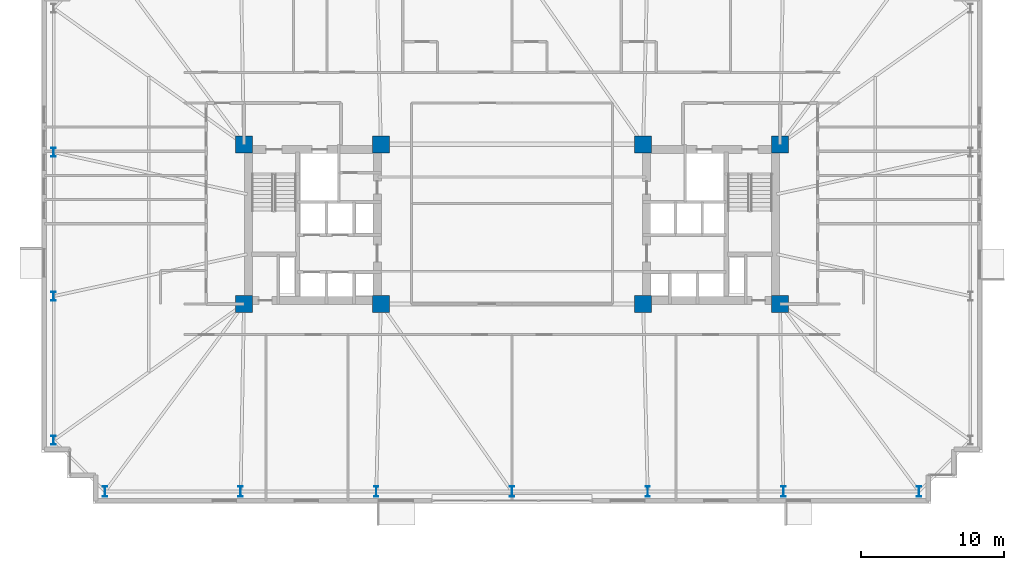
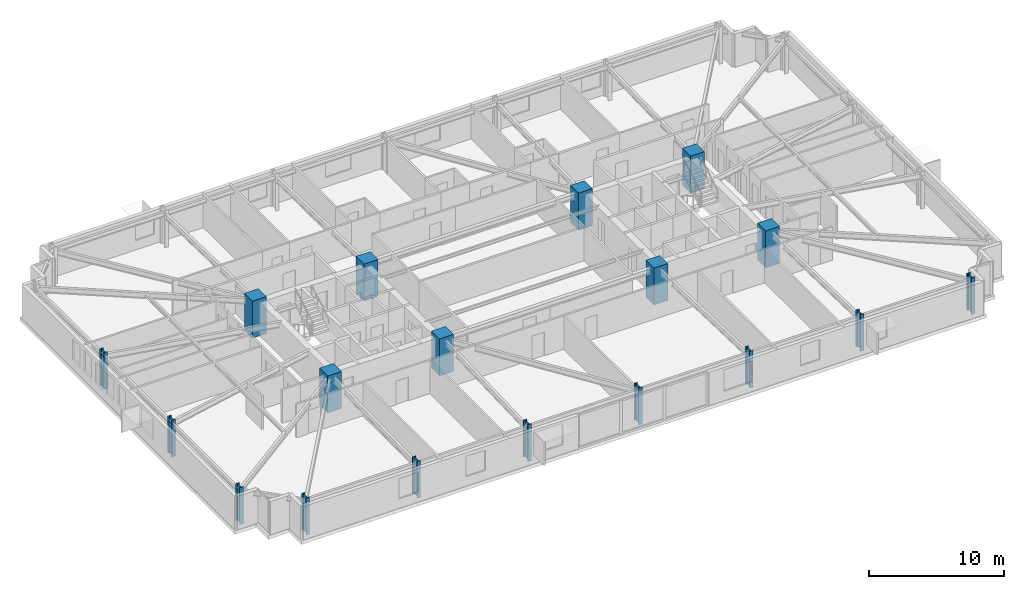
# One storey, part 1 of 24: 18 columns.
"""IFC4 building model written with IfcOpenShell, lengths in metres."""

import ifcopenshell
import ifcopenshell.guid

model = None  # the IFC model being written
_history = None  # IfcOwnerHistory: only IFC2X3 demands one
_inside = {}  # id of a spatial element -> (the spatial element, [elements in it])
_under = {}  # id of a project, library or spatial element -> (it, [spatial elements below it])
_declared = {}  # id of a project -> (the project, [libraries it declares])
_typed = {}  # id of a type object -> (the type object, [elements of that type])
_made_of = {}  # id of a material, layer set ... -> (it, [elements and type objects made of it])


def new_model(schema):
    """Start an empty IFC model of exactly this schema.

    Asked for "IFC4X3", IfcOpenShell would pick the latest addendum, in which some entities
    have other attributes; the version numbers below select the first issue.
    IFC2X3 requires an IfcOwnerHistory on every rooted entity: one is made here for all.
    """
    global model, _history
    if schema == "IFC4X3":
        model = ifcopenshell.file(schema_version=(4, 3, 0, 0))
    else:
        model = ifcopenshell.file(schema=schema)
    _inside.clear()
    _under.clear()
    _declared.clear()
    _typed.clear()
    _made_of.clear()
    _history = None
    if model.schema == "IFC2X3":
        org = make("IfcOrganization", Name="unknown")
        user = make(
            "IfcPersonAndOrganization",
            ThePerson=make("IfcPerson", FamilyName="unknown"),
            TheOrganization=org,
        )
        app = make(
            "IfcApplication",
            ApplicationDeveloper=org,
            Version="unknown",
            ApplicationFullName="unknown",
            ApplicationIdentifier="unknown",
        )
        _history = make(
            "IfcOwnerHistory",
            OwningUser=user,
            OwningApplication=app,
            ChangeAction="ADDED",
            CreationDate=0,
        )
    return model


def make(cls, **values):
    """One entity of the class cls with the attributes given. An attribute that is None is left unset."""
    return model.create_entity(
        cls, **{name: value for name, value in values.items() if value is not None}
    )


def rooted(cls, **values):
    """An entity with a GlobalId (a new one), such as an element, a storey or a relation."""
    return make(cls, GlobalId=ifcopenshell.guid.new(), OwnerHistory=_history, **values)


def si_unit(unit_type, name, prefix=None):
    """IfcSIUnit, for example si_unit("LENGTHUNIT", "METRE", prefix="MILLI")."""
    return make("IfcSIUnit", UnitType=unit_type, Prefix=prefix, Name=name)


def assignment(units):
    """IfcUnitAssignment: the units of a project."""
    return None if units is None else make("IfcUnitAssignment", Units=units)


def point(xyz):
    """IfcCartesianPoint."""
    return None if xyz is None else make("IfcCartesianPoint", Coordinates=xyz)


def direction(xyz):
    """IfcDirection."""
    return None if xyz is None else make("IfcDirection", DirectionRatios=xyz)


def frame(location, z_axis=None, x_axis=None):
    """IfcAxis2Placement3D, a coordinate frame: its origin and axes. An axis left out is left unset."""
    return make(
        "IfcAxis2Placement3D",
        Location=point(location),
        Axis=direction(z_axis),
        RefDirection=direction(x_axis),
    )


def frame_2d(location, x_axis=None):
    """IfcAxis2Placement2D, a coordinate frame in the plane: its origin and x axis."""
    return make(
        "IfcAxis2Placement2D", Location=point(location), RefDirection=direction(x_axis)
    )


def origin():
    """The frame at (0, 0, 0) with its axes left unset."""
    return frame((0.0, 0.0, 0.0))


def origin_2d():
    """The frame at (0, 0) in the plane with its x axis left unset."""
    return frame_2d((0.0, 0.0))


def place(relative_to, where):
    """IfcLocalPlacement: puts the frame where relative to a parent placement (None: the world)."""
    return make(
        "IfcLocalPlacement", PlacementRelTo=relative_to, RelativePlacement=where
    )


def context(
    kind, dimensions, precision=None, world=None, true_north=None, identifier=None
):
    """IfcGeometricRepresentationContext, for example the 3D "Model" context."""
    return make(
        "IfcGeometricRepresentationContext",
        ContextIdentifier=identifier,
        ContextType=kind,
        CoordinateSpaceDimension=dimensions,
        Precision=precision,
        WorldCoordinateSystem=world,
        TrueNorth=true_north,
    )


def subcontext(parent, identifier, kind, view, scale=None):
    """IfcGeometricRepresentationSubContext, for example "Body" below "Model"."""
    return make(
        "IfcGeometricRepresentationSubContext",
        ContextIdentifier=identifier,
        ContextType=kind,
        ParentContext=parent,
        TargetScale=scale,
        TargetView=view,
    )


def project(units=None, contexts=None):
    """IfcProject with its units and contexts."""
    return rooted(
        "IfcProject",
        Name="project",
        RepresentationContexts=contexts,
        UnitsInContext=assignment(units),
    )


def spatial(cls, under=None, at=None, **own):
    """A site, building, storey or space (cls), placed at a placement, below another one or the project."""
    s = rooted(cls, ObjectPlacement=at, **own)
    if under is not None:
        _under.setdefault(under.id(), (under, []))[1].append(s)
    return s


def profile(cls, at=None, kind="AREA", **sizes):
    """A parametric profile (cls). Its sizes go by their IFC names, for example OverallWidth=200.0."""
    return make(cls, ProfileType=kind, Position=at, **sizes)


def rectangle(**sizes):
    """IfcRectangleProfileDef."""
    return profile("IfcRectangleProfileDef", **sizes)


def i_section(**sizes):
    """IfcIShapeProfileDef."""
    return profile("IfcIShapeProfileDef", **sizes)


def extrude(swept, where, along, depth):
    """IfcExtrudedAreaSolid: the profile swept, set in the frame where, extruded along a direction by depth."""
    return make(
        "IfcExtrudedAreaSolid",
        SweptArea=swept,
        Position=where,
        ExtrudedDirection=direction(along),
        Depth=depth,
    )


def shape(context_of_items, identifier, shape_type, items):
    """IfcShapeRepresentation: the items that make up one representation, for example the "Body"."""
    return make(
        "IfcShapeRepresentation",
        ContextOfItems=context_of_items,
        RepresentationIdentifier=identifier,
        RepresentationType=shape_type,
        Items=items,
    )


def material(Name=None, Category=None):
    """IfcMaterial."""
    return make("IfcMaterial", Name=Name, Category=Category)


def material_profile(
    of_material, cross_section, Name=None, Category=None, Priority=None
):
    """IfcMaterialProfile: a cross section and its material."""
    return make(
        "IfcMaterialProfile",
        Name=Name,
        Material=of_material,
        Profile=cross_section,
        Priority=Priority,
        Category=Category,
    )


def profile_set(profiles, Name=None, composite=None):
    """IfcMaterialProfileSet."""
    return make(
        "IfcMaterialProfileSet",
        Name=Name,
        MaterialProfiles=profiles,
        CompositeProfile=composite,
    )


def made_of(thing, what):
    """Note that an element or type object is made of a material, layer set ...; save() writes the relation."""
    if what is not None:
        _made_of.setdefault(what.id(), (what, []))[1].append(thing)
    return thing


def type_object(cls, material=None, **own):
    """A type object (cls), such as IfcWallType, which elements share."""
    return made_of(rooted(cls, **own), material)


def element(
    cls,
    number,
    at=None,
    inside=None,
    cuts=None,
    type_object=None,
    material=None,
    context=None,
    identifier="Body",
    shape_type=None,
    held_by="IfcProductDefinitionShape",
    body=None,
    shapes=None,
    **own,
):
    """One element of the class cls, such as IfcWall. Its Tag is "e" and its number.

    at: its placement. inside: the storey or other place that contains it. cuts: it is an
    opening in that element (IfcRelVoidsElement). A single representation is given by context,
    identifier, shape_type and body (its items); several are given by shapes. held_by: the class
    of the entity that holds the representations. save() writes the other relations.
    """
    e = rooted(cls, Tag="e%d" % number, ObjectPlacement=at, **own)
    if body is not None:
        shapes = [shape(context, identifier, shape_type, body)]
    if shapes is not None:
        e.Representation = make(held_by, Representations=shapes)
    if inside is not None:
        _inside.setdefault(inside.id(), (inside, []))[1].append(e)
    if cuts is not None:
        rooted(
            "IfcRelVoidsElement", RelatingBuildingElement=cuts, RelatedOpeningElement=e
        )
    if type_object is not None:
        _typed.setdefault(type_object.id(), (type_object, []))[1].append(e)
    return made_of(e, material)


def aggregate(whole, parts):
    """IfcRelAggregates: a whole, such as a stair, and the parts it consists of."""
    return rooted("IfcRelAggregates", RelatingObject=whole, RelatedObjects=parts)


def save(model, path):
    """Write the relations noted so far, then the file.

    IfcRelAggregates (storeys below a building ...), IfcRelContainedInSpatialStructure (elements
    in a storey), IfcRelDefinesByType, IfcRelAssociatesMaterial and IfcRelDeclares: one each for
    every whole, place, type object, material and project.
    """
    for whole, parts in _under.values():
        aggregate(whole, parts)
    for where, things in _inside.values():
        rooted(
            "IfcRelContainedInSpatialStructure",
            RelatedElements=things,
            RelatingStructure=where,
        )
    for kind, things in _typed.values():
        rooted("IfcRelDefinesByType", RelatedObjects=things, RelatingType=kind)
    for what, things in _made_of.values():
        rooted("IfcRelAssociatesMaterial", RelatedObjects=things, RelatingMaterial=what)
    for by, libraries in _declared.values():
        rooted("IfcRelDeclares", RelatingContext=by, RelatedDefinitions=libraries)
    model.write(path)


model = new_model("IFC4")

# Units and contexts
model_context = context("Model", 3, precision=1e-05, world=origin(), true_north=direction((0.0, 1.0)))
body_context = subcontext(model_context, "Body", "Model", "MODEL_VIEW")
ifc_project = project(units=[si_unit("LENGTHUNIT", "METRE"), si_unit("AREAUNIT", "SQUARE_METRE"), si_unit("VOLUMEUNIT", "CUBIC_METRE"), si_unit("PLANEANGLEUNIT", "RADIAN"), si_unit("MASSUNIT", "GRAM", prefix="KILO")], contexts=[model_context])

# Site, building, storey
site_placement = place(None, origin())
site = spatial("IfcSite", under=ifc_project, at=site_placement, CompositionType="ELEMENT")
building_placement = place(site_placement, origin())
building = spatial("IfcBuilding", under=site, at=building_placement, Name="Qobustan Lattice House", CompositionType="ELEMENT")
storey_placement = place(building_placement, frame((0.0, 0.0, 43.75)))
storey = spatial("IfcBuildingStorey", under=building, at=storey_placement, Name="L11", CompositionType="ELEMENT", Elevation=43.75)

# Columns
ifc_material_1 = material(Name="Concrete C60/75", Category="concrete")
ifc_material_profile_1 = material_profile(ifc_material_1, rectangle(XDim=1.199951171875, YDim=1.199951171875, at=origin_2d()), Name="RC1200x1200")
ifc_profile_set_1 = profile_set([ifc_material_profile_1], Name="Concrete C60/75")
column_type_1 = type_object("IfcColumnType", Name="COL-RC-1200", PredefinedType="COLUMN", material=ifc_profile_set_1)
for number, where, z_axis, x_axis, name in (
    (1, (-18.800048828125, -5.60009765625, 0.0), (0.0, 0.0, 1.0), (1.0, 0.0, 0.0), "L11 core mega-column CW-SW"),
    (2, (-18.800048828125, 5.60009765625, 0.0), (0.0, 0.0, 1.0), (1.0, 0.0, 0.0), "L11 core mega-column CW-NW"),
    (3, (-9.199951171875, -5.60009765625, 0.0), (0.0, 0.0, 1.0), (1.0, 0.0, 0.0), "L11 core mega-column CW-SE"),
    (4, (-9.199951171875, 5.60009765625, 0.0), (0.0, 0.0, 1.0), (1.0, 0.0, 0.0), "L11 core mega-column CW-NE"),
    (5, (9.199951171875, -5.60009765625, 0.0), (0.0, 0.0, 1.0), (1.0, 0.0, 0.0), "L11 core mega-column CE-SW"),
    (6, (9.199951171875, 5.60009765625, 0.0), (0.0, 0.0, 1.0), (1.0, 0.0, 0.0), "L11 core mega-column CE-NW"),
    (7, (18.800048828125, -5.60009765625, 0.0), (0.0, 0.0, 1.0), (1.0, 0.0, 0.0), "L11 core mega-column CE-SE"),
    (8, (18.800048828125, 5.60009765625, 0.0), (0.0, 0.0, 1.0), (1.0, 0.0, 0.0), "L11 core mega-column CE-NE"),
):
    element("IfcColumn", number, at=place(storey_placement, frame(where, z_axis=z_axis, x_axis=x_axis)), inside=storey, type_object=column_type_1, Name=name, PredefinedType="COLUMN", context=body_context, shape_type="SweptSolid", body=[
        extrude(rectangle(XDim=1.199951171875, YDim=1.199951171875, at=origin_2d()), origin(), (0.0, 0.0, 1.0), 3.35009765625),
    ])
ifc_material_2 = material(Name="Steel S460", Category="steel")
ifc_material_profile_2 = material_profile(ifc_material_2, i_section(OverallWidth=0.304931640625, OverallDepth=0.6201171875, WebThickness=0.02099609375, FlangeThickness=0.0400390625, FilletRadius=0.027099609375, at=origin_2d()), Name="HEM600")
ifc_profile_set_2 = profile_set([ifc_material_profile_2], Name="Steel S460")
column_type_2 = type_object("IfcColumnType", Name="COL-ST-HEM600", PredefinedType="COLUMN", material=ifc_profile_set_2)
for number, where, z_axis, x_axis, name in (
    (9, (-32.14990234375, 5.050048828125, 0.0), (0.0, 0.0, 1.0), (1.0, 0.0, 0.0), "L11 B1 perimeter column W2"),
    (10, (-32.14990234375, -5.050048828125, 0.0), (0.0, 0.0, 1.0), (1.0, 0.0, 0.0), "L11 B1 perimeter column W3"),
    (11, (-32.14990234375, -15.14990234375, 0.0), (0.0, 0.0, 1.0), (1.0, 0.0, 0.0), "L11 B1 perimeter column W4"),
):
    element("IfcColumn", number, at=place(storey_placement, frame(where, z_axis=z_axis, x_axis=x_axis)), inside=storey, type_object=column_type_2, Name=name, PredefinedType="COLUMN", context=body_context, shape_type="SweptSolid", body=[
        extrude(i_section(OverallWidth=0.304931640625, OverallDepth=0.6201171875, WebThickness=0.02099609375, FlangeThickness=0.0400390625, FilletRadius=0.027099609375, at=origin_2d()), origin(), (0.0, 0.0, 1.0), 3.35009765625),
    ])
ifc_material_3 = material(Name="Steel S460", Category="steel")
ifc_material_profile_3 = material_profile(ifc_material_3, i_section(OverallWidth=0.303955078125, OverallDepth=0.716064453125, WebThickness=0.02099609375, FlangeThickness=0.0400390625, FilletRadius=0.027099609375, at=origin_2d()), Name="HEM700")
ifc_profile_set_3 = profile_set([ifc_material_profile_3], Name="Steel S460")
column_type_3 = type_object("IfcColumnType", Name="COL-ST-HEM700", PredefinedType="COLUMN", material=ifc_profile_set_3)
for number, where, z_axis, x_axis, name in (
    (12, (-28.550048828125, -18.75, 0.0), (0.0, 0.0, 1.0), (1.0, 0.0, 0.0), "L11 B1 perimeter column S1"),
    (13, (-19.033203125, -18.75, 0.0), (0.0, 0.0, 1.0), (1.0, 0.0, 0.0), "L11 B1 perimeter column S2"),
    (14, (-9.5166015625, -18.75, 0.0), (0.0, 0.0, 1.0), (1.0, 0.0, 0.0), "L11 B1 perimeter column S3"),
    (15, (0.0, -18.75, 0.0), (0.0, 0.0, 1.0), (1.0, 0.0, 0.0), "L11 B1 perimeter column S4"),
    (16, (9.5166015625, -18.75, 0.0), (0.0, 0.0, 1.0), (1.0, 0.0, 0.0), "L11 B1 perimeter column S5"),
    (17, (19.033203125, -18.75, 0.0), (0.0, 0.0, 1.0), (1.0, 0.0, 0.0), "L11 B1 perimeter column S6"),
    (18, (28.550048828125, -18.75, 0.0), (0.0, 0.0, 1.0), (1.0, 0.0, 0.0), "L11 B1 perimeter column S7"),
):
    element("IfcColumn", number, at=place(storey_placement, frame(where, z_axis=z_axis, x_axis=x_axis)), inside=storey, type_object=column_type_3, Name=name, PredefinedType="COLUMN", context=body_context, shape_type="SweptSolid", body=[
        extrude(i_section(OverallWidth=0.303955078125, OverallDepth=0.716064453125, WebThickness=0.02099609375, FlangeThickness=0.0400390625, FilletRadius=0.027099609375, at=origin_2d()), origin(), (0.0, 0.0, 1.0), 3.35009765625),
    ])

save(model, "model.ifc")
